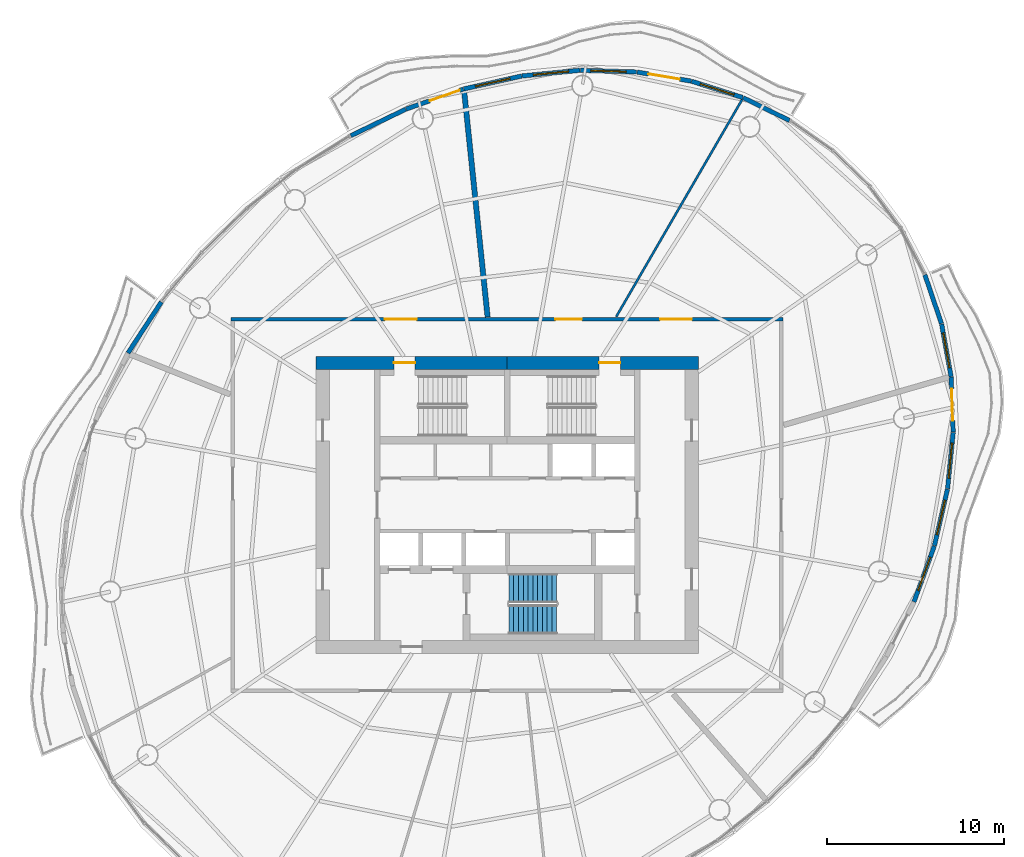
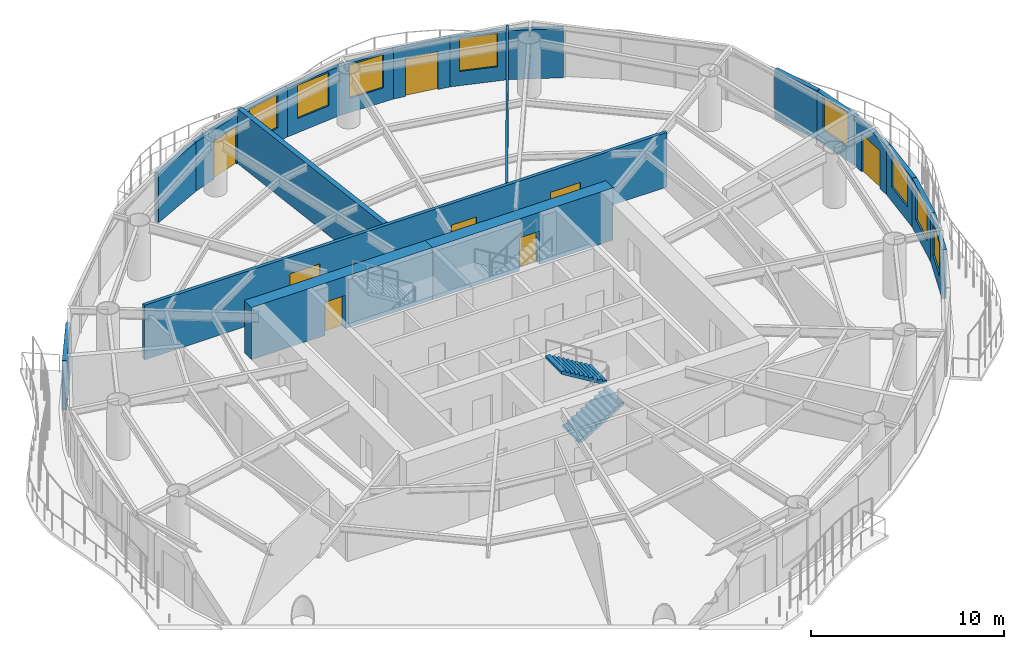
# One storey, part 10 of 14: 20 walls, 8 doors, 8 windows, 2 stair flights, 16 openings, 1 element without a shape of its own.
"""IFC4 building model written with IfcOpenShell, lengths in metres."""

from ifc_helpers import new_model, si_unit, direction, frame, frame_2d, origin, place, context, subcontext, project, spatial, polyline, rectangle, outline, extrude, material, layer, layer_set, type_object, element, fill, aggregate, save


model = new_model("IFC4")

# Units and contexts
model_context = context("Model", 3, precision=1e-05, world=origin(), true_north=direction((0.0, 1.0)))
body_context = subcontext(model_context, "Body", "Model", "MODEL_VIEW")
ifc_project = project(units=[si_unit("LENGTHUNIT", "METRE"), si_unit("AREAUNIT", "SQUARE_METRE"), si_unit("VOLUMEUNIT", "CUBIC_METRE"), si_unit("PLANEANGLEUNIT", "RADIAN"), si_unit("MASSUNIT", "GRAM", prefix="KILO")], contexts=[model_context])

# Site, building, storey
site_placement = place(None, origin())
site = spatial("IfcSite", under=ifc_project, at=site_placement, CompositionType="ELEMENT")
building_placement = place(site_placement, origin())
building = spatial("IfcBuilding", under=site, at=building_placement, Name="Vermilion Reach Broadcast Tower", CompositionType="ELEMENT")
storey_placement = place(building_placement, frame((0.0, 0.0, 199.300048828125)))
storey = spatial("IfcBuildingStorey", under=building, at=storey_placement, Name="L48", CompositionType="ELEMENT", Elevation=199.300048828125)

# Wall, opening, door
ifc_material_1 = material(Name="Concrete C60", Category="concrete")
ifc_layer_1 = layer(ifc_material_1, 0.75)
ifc_layer_set_1 = layer_set([ifc_layer_1], Name="Core outer wall 750 mm Concrete C60")
wall_type_1 = type_object("IfcWallType", Name="Core outer wall 750 mm Concrete C60", PredefinedType="SHEAR", material=ifc_layer_set_1)
wall_1_placement = place(storey_placement, frame((4.800048828125, 8.02490234375, 0.0), z_axis=(0.0, 0.0, 1.0), x_axis=(-1.0, 0.0, 0.0)))
wall_1 = element("IfcWall", 1, at=wall_1_placement, inside=storey, type_object=wall_type_1, Name="L48 core wall onE", PredefinedType="SHEAR", context=body_context, shape_type="SweptSolid", body=[
    extrude(rectangle(XDim=10.800048828125, YDim=0.75, at=frame_2d((5.39990234375, 0.0))), origin(), (0.0, 0.0, 1.0), 3.300048828125),
])
opening_1_placement = place(wall_1_placement, frame((4.39990234375, 0.0, 0.0)))
opening_1 = element("IfcOpeningElement", 2, at=opening_1_placement, cuts=wall_1, Name="Opening D01", PredefinedType="OPENING", context=body_context, shape_type="SweptSolid", body=[
    extrude(rectangle(XDim=1.199951171875, YDim=2.10009765625, at=frame_2d((0.60009765625, 1.050048828125))), frame((0.0, 0.385009765625, 0.0), z_axis=(0.0, -1.0, 0.0), x_axis=(1.0, 0.0, 0.0)), (0.0, 0.0, 1.0), 0.77001953125),
])
ifc_material_2 = material(Name="Painted steel fire door", Category="steel")
door_type_1 = type_object("IfcDoorType", Name="Stair door 1200 x 2100", OperationType="DOUBLE_DOOR_SINGLE_SWING", PredefinedType="NOTDEFINED", material=ifc_material_2)
door_1_placement = place(opening_1_placement, origin())
door_1 = element("IfcDoor", 3, at=door_1_placement, inside=storey, type_object=door_type_1, Name="L48 stair door ST2", OperationType="DOUBLE_DOOR_SINGLE_SWING", OverallHeight=2.10009765625, OverallWidth=1.199951171875, PredefinedType="NOTDEFINED", context=body_context, shape_type="SweptSolid", body=[
    extrude(rectangle(XDim=1.199951171875, YDim=2.10009765625, at=frame_2d((0.60009765625, 1.050048828125))), frame((0.0, 0.02490234375, 0.0), z_axis=(0.0, -1.0, 0.0), x_axis=(1.0, 0.0, 0.0)), (0.0, 0.0, 1.0), 0.050048828125),
])
fill(opening_1, door_1)

wall_2_placement = place(storey_placement, frame((-6.0, 8.02490234375, 0.0), z_axis=(0.0, 0.0, 1.0), x_axis=(-1.0, 0.0, 0.0)))
wall_2 = element("IfcWall", 4, at=wall_2_placement, inside=storey, type_object=wall_type_1, Name="L48 core wall onW", PredefinedType="SHEAR", context=body_context, shape_type="SweptSolid", body=[
    extrude(rectangle(XDim=10.800048828125, YDim=0.75, at=frame_2d((5.39990234375, 0.0))), origin(), (0.0, 0.0, 1.0), 3.300048828125),
])
opening_2_placement = place(wall_2_placement, frame((5.199951171875, 0.0, 0.0)))
opening_2 = element("IfcOpeningElement", 5, at=opening_2_placement, cuts=wall_2, Name="Opening D01", PredefinedType="OPENING", context=body_context, shape_type="SweptSolid", body=[
    extrude(rectangle(XDim=1.199951171875, YDim=2.10009765625, at=frame_2d((0.60009765625, 1.050048828125))), frame((0.0, 0.385009765625, 0.0), z_axis=(0.0, -1.0, 0.0), x_axis=(1.0, 0.0, 0.0)), (0.0, 0.0, 1.0), 0.77001953125),
])
door_2_placement = place(opening_2_placement, origin())
door_2 = element("IfcDoor", 6, at=door_2_placement, inside=storey, type_object=door_type_1, Name="L48 stair door ST1", OperationType="DOUBLE_DOOR_SINGLE_SWING", OverallHeight=2.10009765625, OverallWidth=1.199951171875, PredefinedType="NOTDEFINED", context=body_context, shape_type="SweptSolid", body=[
    extrude(rectangle(XDim=1.199951171875, YDim=2.10009765625, at=frame_2d((0.60009765625, 1.050048828125))), frame((0.0, 0.02490234375, 0.0), z_axis=(0.0, -1.0, 0.0), x_axis=(1.0, 0.0, 0.0)), (0.0, 0.0, 1.0), 0.050048828125),
])
fill(opening_2, door_2)

# Wall, openings, doors
ifc_material_3 = material(Name="Fire-rated gypsum board partition")
ifc_layer_2 = layer(ifc_material_3, 0.199951171875)
ifc_layer_set_2 = layer_set([ifc_layer_2], Name="Corridor wall 200 fire-rated")
wall_type_2 = type_object("IfcWallType", Name="Corridor wall 200 fire-rated", PredefinedType="PARTITIONING", material=ifc_layer_set_2)
wall_3_placement = place(storey_placement, frame((-21.60009765625, 10.5, 0.0), z_axis=(0.0, 0.0, 1.0), x_axis=(1.0, 0.0, 0.0)))
wall_3 = element("IfcWall", 7, at=wall_3_placement, inside=storey, type_object=wall_type_2, Name="Corridor wall 48.N", PredefinedType="PARTITIONING", context=body_context, shape_type="SweptSolid", body=[
    extrude(rectangle(XDim=31.2001953125, YDim=0.199951171875, at=frame_2d((15.60009765625, 0.0))), origin(), (0.0, 0.0, 1.0), 3.449951171875),
])
opening_3_placement = place(wall_3_placement, frame((18.32080078125, 0.0, 0.0)))
opening_3 = element("IfcOpeningElement", 8, at=opening_3_placement, cuts=wall_3, Name="Opening D24", PredefinedType="OPENING", context=body_context, shape_type="SweptSolid", body=[
    extrude(rectangle(XDim=1.5, YDim=2.10009765625, at=frame_2d((0.75, 1.050048828125))), frame((0.0, 0.10986328125, 0.0), z_axis=(0.0, -1.0, 0.0), x_axis=(1.0, 0.0, 0.0)), (0.0, 0.0, 1.0), 0.219970703125),
])
opening_4_placement = place(wall_3_placement, frame((8.6884765625, 0.0, 0.0)))
opening_4 = element("IfcOpeningElement", 9, at=opening_4_placement, cuts=wall_3, Name="Opening D27", PredefinedType="OPENING", context=body_context, shape_type="SweptSolid", body=[
    extrude(rectangle(XDim=1.800048828125, YDim=2.39990234375, at=frame_2d((0.89990234375, 1.199951171875))), frame((0.0, 0.10986328125, 0.0), z_axis=(0.0, -1.0, 0.0), x_axis=(1.0, 0.0, 0.0)), (0.0, 0.0, 1.0), 0.219970703125),
])
opening_5_placement = place(wall_3_placement, frame((24.2412109375, 0.0, 0.0)))
opening_5 = element("IfcOpeningElement", 10, at=opening_5_placement, cuts=wall_3, Name="Opening D21", PredefinedType="OPENING", context=body_context, shape_type="SweptSolid", body=[
    extrude(rectangle(XDim=1.800048828125, YDim=2.10009765625, at=frame_2d((0.89990234375, 1.050048828125))), frame((0.0, 0.10986328125, 0.0), z_axis=(0.0, -1.0, 0.0), x_axis=(1.0, 0.0, 0.0)), (0.0, 0.0, 1.0), 0.219970703125),
])
ifc_material_4 = material(Name="Timber door leaf", Category="wood")
door_type_2 = type_object("IfcDoorType", Name="Door pair 1500x2100", OperationType="NOTDEFINED", PredefinedType="DOOR", material=ifc_material_4)
door_3_placement = place(opening_3_placement, origin())
door_3 = element("IfcDoor", 11, at=door_3_placement, inside=storey, type_object=door_type_2, Name="Door 48.01", OperationType="DOUBLE_DOOR_SINGLE_SWING", OverallHeight=2.10009765625, OverallWidth=1.5, PredefinedType="DOOR", context=body_context, shape_type="SweptSolid", body=[
    extrude(rectangle(XDim=1.5, YDim=2.10009765625, at=frame_2d((0.75, 1.050048828125))), frame((0.0, 0.02490234375, 0.0), z_axis=(0.0, -1.0, 0.0), x_axis=(1.0, 0.0, 0.0)), (0.0, 0.0, 1.0), 0.050048828125),
])
fill(opening_3, door_3)
ifc_material_5 = material(Name="Timber door leaf", Category="wood")
door_type_3 = type_object("IfcDoorType", Name="Door pair 1800x2100", OperationType="NOTDEFINED", PredefinedType="DOOR", material=ifc_material_5)
door_4_placement = place(opening_5_placement, origin())
door_4 = element("IfcDoor", 12, at=door_4_placement, inside=storey, type_object=door_type_3, Name="Door 48.08", OperationType="DOUBLE_DOOR_SINGLE_SWING", OverallHeight=2.10009765625, OverallWidth=1.800048828125, PredefinedType="DOOR", context=body_context, shape_type="SweptSolid", body=[
    extrude(rectangle(XDim=1.800048828125, YDim=2.10009765625, at=frame_2d((0.89990234375, 1.050048828125))), frame((0.0, 0.02490234375, 0.0), z_axis=(0.0, -1.0, 0.0), x_axis=(1.0, 0.0, 0.0)), (0.0, 0.0, 1.0), 0.050048828125),
])
fill(opening_5, door_4)
ifc_material_6 = material(Name="Acoustic timber door leaf", Category="wood")
door_type_4 = type_object("IfcDoorType", Name="Door pair 1800x2400", OperationType="NOTDEFINED", PredefinedType="DOOR", material=ifc_material_6)
door_5_placement = place(opening_4_placement, origin())
door_5 = element("IfcDoor", 13, at=door_5_placement, inside=storey, type_object=door_type_4, Name="Door 48.02", OperationType="DOUBLE_DOOR_SINGLE_SWING", OverallHeight=2.39990234375, OverallWidth=1.800048828125, PredefinedType="DOOR", context=body_context, shape_type="SweptSolid", body=[
    extrude(rectangle(XDim=1.800048828125, YDim=2.39990234375, at=frame_2d((0.89990234375, 1.199951171875))), frame((0.0, 0.02490234375, 0.0), z_axis=(0.0, -1.0, 0.0), x_axis=(1.0, 0.0, 0.0)), (0.0, 0.0, 1.0), 0.050048828125),
])
fill(opening_4, door_5)

# Walls
ifc_material_7 = material(Name="Fire-rated plasterboard on steel stud", Category="steel")
ifc_layer_3 = layer(ifc_material_7, 0.125)
ifc_layer_set_3 = layer_set([ifc_layer_3], Name="Partition 125 fire-rated stud")
wall_type_3 = type_object("IfcWallType", Name="Partition 125 fire-rated stud", PredefinedType="PARTITIONING", material=ifc_layer_set_3)
wall_4_placement = place(storey_placement, frame((7.277099609375, 22.90380859375, 0.0), z_axis=(0.0, 0.0, 1.0), x_axis=(-0.501519234172, -0.865146494968, 0.0)))
element("IfcWall", 14, at=wall_4_placement, inside=storey, type_object=wall_type_3, Name="Partition 48.01", PredefinedType="PARTITIONING", context=body_context, shape_type="SweptSolid", body=[
    extrude(rectangle(XDim=14.185302734375, YDim=0.125, at=frame_2d((7.0927734375, 0.0))), origin(), (0.0, 0.0, 1.0), 3.449951171875),
])
ifc_material_8 = material(Name="Double-leaf plasterboard on isolated steel stud", Category="steel")
ifc_layer_4 = layer(ifc_material_8, 0.300048828125)
ifc_layer_set_4 = layer_set([ifc_layer_4], Name="Partition 300 acoustic double leaf")
wall_type_4 = type_object("IfcWallType", Name="Partition 300 acoustic double leaf", PredefinedType="PARTITIONING", material=ifc_layer_set_4)
wall_5_placement = place(storey_placement, frame((-8.431396484375, 23.3857421875, 0.0), z_axis=(0.0, 0.0, 1.0), x_axis=(0.103405820215, -0.994639249349, 0.0)))
element("IfcWall", 15, at=wall_5_placement, inside=storey, type_object=wall_type_4, Name="Partition 48.02", PredefinedType="PARTITIONING", context=body_context, shape_type="SweptSolid", body=[
    extrude(rectangle(XDim=12.839111328125, YDim=0.300048828125, at=frame_2d((6.41943359375, 0.0))), origin(), (0.0, 0.0, 1.0), 3.449951171875),
])
ifc_material_9 = material(Name="Terracotta rainscreen cladding", Category="masonry")
ifc_layer_5 = layer(ifc_material_9, 0.25)
ifc_layer_set_5 = layer_set([ifc_layer_5], Name="Terracotta rainscreen wall 250")
wall_type_5 = type_object("IfcWallType", Name="Terracotta rainscreen wall 250", PredefinedType="SOLIDWALL", material=ifc_layer_set_5)
wall_6_placement = place(storey_placement, frame((9.95068359375, 21.726318359375, 0.0), z_axis=(0.0, 0.0, 1.0), x_axis=(-0.897141057634, 0.441744182426, 0.0)))
element("IfcWall", 16, at=wall_6_placement, inside=storey, type_object=wall_type_5, Name="External wall L48 02", PredefinedType="SOLIDWALL", context=body_context, shape_type="SweptSolid", body=[
    extrude(rectangle(XDim=2.914794921875, YDim=0.25, at=frame_2d((1.45751953125, 0.0))), origin(), (0.0, 0.0, 1.0), 3.099853515625),
])

# Wall, opening, window
wall_7_placement = place(storey_placement, frame((7.31103515625, 23.02392578125, 0.0), z_axis=(0.0, 0.0, 1.0), x_axis=(-0.952776106235, 0.303673659358, 0.0)))
wall_7 = element("IfcWall", 17, at=wall_7_placement, inside=storey, type_object=wall_type_5, Name="External wall L48 03", PredefinedType="SOLIDWALL", context=body_context, shape_type="SweptSolid", body=[
    extrude(rectangle(XDim=3.02294921875, YDim=0.25, at=frame_2d((1.511474609375, 0.0))), origin(), (0.0, 0.0, 1.0), 3.099853515625),
])
opening_6_placement = place(wall_7_placement, frame((0.511474609375, 0.0, 0.89990234375)))
opening_6 = element("IfcOpeningElement", 18, at=opening_6_placement, cuts=wall_7, Name="Opening W03", PredefinedType="OPENING", context=body_context, shape_type="SweptSolid", body=[
    extrude(rectangle(XDim=2.0, YDim=2.10009765625, at=frame_2d((1.0, 1.050048828125))), frame((0.0, 0.135009765625, 0.0), z_axis=(0.0, -1.0, 0.0), x_axis=(1.0, 0.0, 0.0)), (0.0, 0.0, 1.0), 0.27001953125),
])
ifc_material_10 = material(Name="Low-e laminated clear glass in aluminium frame", Category="aluminium")
window_type = type_object("IfcWindowType", Name="Punched window 2000 x 2100 sill 900", PartitioningType="SINGLE_PANEL", PredefinedType="WINDOW", material=ifc_material_10)
window_1_placement = place(opening_6_placement, origin())
window_1 = element("IfcWindow", 19, at=window_1_placement, inside=storey, type_object=window_type, Name="Window L48 03", OverallHeight=2.10009765625, OverallWidth=2.0, PartitioningType="SINGLE_PANEL", PredefinedType="WINDOW", context=body_context, shape_type="SweptSolid", body=[
    extrude(rectangle(XDim=2.0, YDim=2.10009765625, at=frame_2d((1.0, 1.050048828125))), frame((0.0, 0.030029296875, 0.0), z_axis=(0.0, -1.0, 0.0), x_axis=(1.0, 0.0, 0.0)), (0.0, 0.0, 1.0), 0.06005859375),
])
fill(opening_6, window_1)

# Wall, opening, door
wall_8_placement = place(storey_placement, frame((4.406005859375, 23.947998046875, 0.0), z_axis=(0.0, 0.0, 1.0), x_axis=(-0.986216863641, 0.165457843178, 0.0)))
wall_8 = element("IfcWall", 20, at=wall_8_placement, inside=storey, type_object=wall_type_5, Name="External wall L48 04", PredefinedType="SOLIDWALL", context=body_context, shape_type="SweptSolid", body=[
    extrude(rectangle(XDim=3.10302734375, YDim=0.25, at=frame_2d((1.551513671875, 0.0))), origin(), (0.0, 0.0, 1.0), 3.099853515625),
])
opening_7_placement = place(wall_8_placement, frame((0.652099609375, 0.0, 0.0)))
opening_7 = element("IfcOpeningElement", 21, at=opening_7_placement, cuts=wall_8, Name="Opening D70", PredefinedType="OPENING", context=body_context, shape_type="SweptSolid", body=[
    extrude(rectangle(XDim=1.800048828125, YDim=2.39990234375, at=frame_2d((0.89990234375, 1.199951171875))), frame((0.0, 0.135009765625, 0.0), z_axis=(0.0, -1.0, 0.0), x_axis=(1.0, 0.0, 0.0)), (0.0, 0.0, 1.0), 0.27001953125),
])
ifc_material_11 = material(Name="Low-e laminated clear glass in aluminium frame", Category="aluminium")
door_type_5 = type_object("IfcDoorType", Name="Balcony sliding door 1800 x 2400", OperationType="DOUBLE_DOOR_SLIDING", PredefinedType="DOOR", material=ifc_material_11)
door_6_placement = place(opening_7_placement, origin())
door_6 = element("IfcDoor", 22, at=door_6_placement, inside=storey, type_object=door_type_5, Name="Balcony door L48 run 01", OperationType="DOUBLE_DOOR_SLIDING", OverallHeight=2.39990234375, OverallWidth=1.800048828125, PredefinedType="DOOR", context=body_context, shape_type="SweptSolid", body=[
    extrude(rectangle(XDim=1.800048828125, YDim=2.39990234375, at=frame_2d((0.89990234375, 1.199951171875))), frame((0.0, 0.02490234375, 0.0), z_axis=(0.0, -1.0, 0.0), x_axis=(1.0, 0.0, 0.0)), (0.0, 0.0, 1.0), 0.050048828125),
])
fill(opening_7, door_6)

# Wall, opening, window
wall_9_placement = place(storey_placement, frame((1.32080078125, 24.4638671875, 0.0), z_axis=(0.0, 0.0, 1.0), x_axis=(-0.999517066274, 0.031074655709, 0.0)))
wall_9 = element("IfcWall", 23, at=wall_9_placement, inside=storey, type_object=wall_type_5, Name="External wall L48 05", PredefinedType="SOLIDWALL", context=body_context, shape_type="SweptSolid", body=[
    extrude(rectangle(XDim=3.189697265625, YDim=0.25, at=frame_2d((1.5947265625, 0.0))), origin(), (0.0, 0.0, 1.0), 3.099853515625),
])
opening_8_placement = place(wall_9_placement, frame((0.594970703125, 0.0, 0.89990234375)))
opening_8 = element("IfcOpeningElement", 24, at=opening_8_placement, cuts=wall_9, Name="Opening W03", PredefinedType="OPENING", context=body_context, shape_type="SweptSolid", body=[
    extrude(rectangle(XDim=2.0, YDim=2.10009765625, at=frame_2d((1.0, 1.050048828125))), frame((0.0, 0.135009765625, 0.0), z_axis=(0.0, -1.0, 0.0), x_axis=(1.0, 0.0, 0.0)), (0.0, 0.0, 1.0), 0.27001953125),
])
window_2_placement = place(opening_8_placement, origin())
window_2 = element("IfcWindow", 25, at=window_2_placement, inside=storey, type_object=window_type, Name="Window L48 05", OverallHeight=2.10009765625, OverallWidth=2.0, PartitioningType="SINGLE_PANEL", PredefinedType="WINDOW", context=body_context, shape_type="SweptSolid", body=[
    extrude(rectangle(XDim=2.0, YDim=2.10009765625, at=frame_2d((1.0, 1.050048828125))), frame((0.0, 0.030029296875, 0.0), z_axis=(0.0, -1.0, 0.0), x_axis=(1.0, 0.0, 0.0)), (0.0, 0.0, 1.0), 0.06005859375),
])
fill(opening_8, window_2)

wall_10_placement = place(storey_placement, frame((-1.891357421875, 24.56201171875, 0.0), z_axis=(0.0, 0.0, 1.0), x_axis=(-0.995263213441, -0.097216953109, 0.0)))
wall_10 = element("IfcWall", 26, at=wall_10_placement, inside=storey, type_object=wall_type_5, Name="External wall L48 06", PredefinedType="SOLIDWALL", context=body_context, shape_type="SweptSolid", body=[
    extrude(rectangle(XDim=3.27734375, YDim=0.25, at=frame_2d((1.638671875, 0.0))), origin(), (0.0, 0.0, 1.0), 3.099853515625),
])
opening_9_placement = place(wall_10_placement, frame((0.638671875, 0.0, 0.89990234375)))
opening_9 = element("IfcOpeningElement", 27, at=opening_9_placement, cuts=wall_10, Name="Opening W03", PredefinedType="OPENING", context=body_context, shape_type="SweptSolid", body=[
    extrude(rectangle(XDim=2.0, YDim=2.10009765625, at=frame_2d((1.0, 1.050048828125))), frame((0.0, 0.135009765625, 0.0), z_axis=(0.0, -1.0, 0.0), x_axis=(1.0, 0.0, 0.0)), (0.0, 0.0, 1.0), 0.27001953125),
])
window_3_placement = place(opening_9_placement, origin())
window_3 = element("IfcWindow", 28, at=window_3_placement, inside=storey, type_object=window_type, Name="Window L48 06", OverallHeight=2.10009765625, OverallWidth=2.0, PartitioningType="SINGLE_PANEL", PredefinedType="WINDOW", context=body_context, shape_type="SweptSolid", body=[
    extrude(rectangle(XDim=2.0, YDim=2.10009765625, at=frame_2d((1.0, 1.050048828125))), frame((0.0, 0.030029296875, 0.0), z_axis=(0.0, -1.0, 0.0), x_axis=(1.0, 0.0, 0.0)), (0.0, 0.0, 1.0), 0.06005859375),
])
fill(opening_9, window_3)

wall_11_placement = place(storey_placement, frame((-5.176025390625, 24.23974609375, 0.0), z_axis=(0.0, 0.0, 1.0), x_axis=(-0.976008895139, -0.217730651514, 0.0)))
wall_11 = element("IfcWall", 29, at=wall_11_placement, inside=storey, type_object=wall_type_5, Name="External wall L48 07", PredefinedType="SOLIDWALL", context=body_context, shape_type="SweptSolid", body=[
    extrude(rectangle(XDim=3.359375, YDim=0.25, at=frame_2d((1.6796875, 0.0))), origin(), (0.0, 0.0, 1.0), 3.099853515625),
])
opening_10_placement = place(wall_11_placement, frame((0.6796875, 0.0, 0.89990234375)))
opening_10 = element("IfcOpeningElement", 30, at=opening_10_placement, cuts=wall_11, Name="Opening W03", PredefinedType="OPENING", context=body_context, shape_type="SweptSolid", body=[
    extrude(rectangle(XDim=2.0, YDim=2.10009765625, at=frame_2d((1.0, 1.050048828125))), frame((0.0, 0.135009765625, 0.0), z_axis=(0.0, -1.0, 0.0), x_axis=(1.0, 0.0, 0.0)), (0.0, 0.0, 1.0), 0.27001953125),
])
window_4_placement = place(opening_10_placement, origin())
window_4 = element("IfcWindow", 31, at=window_4_placement, inside=storey, type_object=window_type, Name="Window L48 07", OverallHeight=2.10009765625, OverallWidth=2.0, PartitioningType="SINGLE_PANEL", PredefinedType="WINDOW", context=body_context, shape_type="SweptSolid", body=[
    extrude(rectangle(XDim=2.0, YDim=2.10009765625, at=frame_2d((1.0, 1.050048828125))), frame((0.0, 0.030029296875, 0.0), z_axis=(0.0, -1.0, 0.0), x_axis=(1.0, 0.0, 0.0)), (0.0, 0.0, 1.0), 0.06005859375),
])
fill(opening_10, window_4)

# Wall, opening, door
wall_12_placement = place(storey_placement, frame((-8.4765625, 23.502197265625, 0.0), z_axis=(0.0, 0.0, 1.0), x_axis=(-0.943927112693, -0.330153912475, 0.0)))
wall_12 = element("IfcWall", 32, at=wall_12_placement, inside=storey, type_object=wall_type_5, Name="External wall L48 08", PredefinedType="SOLIDWALL", context=body_context, shape_type="SweptSolid", body=[
    extrude(rectangle(XDim=3.43115234375, YDim=0.25, at=frame_2d((1.715576171875, 0.0))), origin(), (0.0, 0.0, 1.0), 3.099853515625),
])
opening_11_placement = place(wall_12_placement, frame((0.216064453125, 0.0, 0.0)))
opening_11 = element("IfcOpeningElement", 33, at=opening_11_placement, cuts=wall_12, Name="Opening D70", PredefinedType="OPENING", context=body_context, shape_type="SweptSolid", body=[
    extrude(rectangle(XDim=1.800048828125, YDim=2.39990234375, at=frame_2d((0.89990234375, 1.199951171875))), frame((0.0, 0.135009765625, 0.0), z_axis=(0.0, -1.0, 0.0), x_axis=(1.0, 0.0, 0.0)), (0.0, 0.0, 1.0), 0.27001953125),
])
door_7_placement = place(opening_11_placement, origin())
door_7 = element("IfcDoor", 34, at=door_7_placement, inside=storey, type_object=door_type_5, Name="Balcony door L48 run 02", OperationType="DOUBLE_DOOR_SLIDING", OverallHeight=2.39990234375, OverallWidth=1.800048828125, PredefinedType="DOOR", context=body_context, shape_type="SweptSolid", body=[
    extrude(rectangle(XDim=1.800048828125, YDim=2.39990234375, at=frame_2d((0.89990234375, 1.199951171875))), frame((0.0, 0.02490234375, 0.0), z_axis=(0.0, -1.0, 0.0), x_axis=(1.0, 0.0, 0.0)), (0.0, 0.0, 1.0), 0.050048828125),
])
fill(opening_11, door_7)

# Walls
for number, where, z_axis, x_axis, name in (
    (35, (-11.73583984375, 22.36083984375, 0.0), (0.0, 0.0, 1.0), (-0.900825117277, -0.43418211396, 0.0), "External wall L48 09"),
    (36, (-25.544921875, 11.466064453125, 0.0), (0.0, 0.0, 1.0), (-0.547235995567, -0.836978354054, 0.0), "External wall L48 14"),
):
    element("IfcWall", number, at=place(storey_placement, frame(where, z_axis=z_axis, x_axis=x_axis)), inside=storey, type_object=wall_type_5, Name=name, PredefinedType="SOLIDWALL", context=body_context, shape_type="SweptSolid", body=[
        extrude(rectangle(XDim=3.444580078125, YDim=0.25, at=frame_2d((1.72216796875, 0.0))), origin(), (0.0, 0.0, 1.0), 3.099853515625),
    ])

# Wall, opening, window
wall_13_placement = place(storey_placement, frame((16.992431640625, -5.47802734375, 0.0), z_axis=(0.0, 0.0, 1.0), x_axis=(0.342379036898, 0.939561916583, 0.0)))
wall_13 = element("IfcWall", 37, at=wall_13_placement, inside=storey, type_object=wall_type_5, Name="External wall L48 40", PredefinedType="SOLIDWALL", context=body_context, shape_type="SweptSolid", body=[
    extrude(rectangle(XDim=3.359375, YDim=0.25, at=frame_2d((1.6796875, 0.0))), origin(), (0.0, 0.0, 1.0), 3.099853515625),
])
opening_12_placement = place(wall_13_placement, frame((0.6796875, 0.0, 0.89990234375)))
opening_12 = element("IfcOpeningElement", 38, at=opening_12_placement, cuts=wall_13, Name="Opening W03", PredefinedType="OPENING", context=body_context, shape_type="SweptSolid", body=[
    extrude(rectangle(XDim=2.0, YDim=2.10009765625, at=frame_2d((1.0, 1.050048828125))), frame((0.0, 0.135009765625, 0.0), z_axis=(0.0, -1.0, 0.0), x_axis=(1.0, 0.0, 0.0)), (0.0, 0.0, 1.0), 0.27001953125),
])
window_5_placement = place(opening_12_placement, origin())
window_5 = element("IfcWindow", 39, at=window_5_placement, inside=storey, type_object=window_type, Name="Window L48 40", OverallHeight=2.10009765625, OverallWidth=2.0, PartitioningType="SINGLE_PANEL", PredefinedType="WINDOW", context=body_context, shape_type="SweptSolid", body=[
    extrude(rectangle(XDim=2.0, YDim=2.10009765625, at=frame_2d((1.0, 1.050048828125))), frame((0.0, 0.030029296875, 0.0), z_axis=(0.0, -1.0, 0.0), x_axis=(1.0, 0.0, 0.0)), (0.0, 0.0, 1.0), 0.06005859375),
])
fill(opening_12, window_5)

wall_14_placement = place(storey_placement, frame((18.149169921875, -2.299560546875, 0.0), z_axis=(0.0, 0.0, 1.0), x_axis=(0.225196810923, 0.974313294762, 0.0)))
wall_14 = element("IfcWall", 40, at=wall_14_placement, inside=storey, type_object=wall_type_5, Name="External wall L48 41", PredefinedType="SOLIDWALL", context=body_context, shape_type="SweptSolid", body=[
    extrude(rectangle(XDim=3.27734375, YDim=0.25, at=frame_2d((1.638671875, 0.0))), origin(), (0.0, 0.0, 1.0), 3.099853515625),
])
opening_13_placement = place(wall_14_placement, frame((0.638671875, 0.0, 0.89990234375)))
opening_13 = element("IfcOpeningElement", 41, at=opening_13_placement, cuts=wall_14, Name="Opening W03", PredefinedType="OPENING", context=body_context, shape_type="SweptSolid", body=[
    extrude(rectangle(XDim=2.0, YDim=2.10009765625, at=frame_2d((1.0, 1.050048828125))), frame((0.0, 0.135009765625, 0.0), z_axis=(0.0, -1.0, 0.0), x_axis=(1.0, 0.0, 0.0)), (0.0, 0.0, 1.0), 0.27001953125),
])
window_6_placement = place(opening_13_placement, origin())
window_6 = element("IfcWindow", 42, at=window_6_placement, inside=storey, type_object=window_type, Name="Window L48 41", OverallHeight=2.10009765625, OverallWidth=2.0, PartitioningType="SINGLE_PANEL", PredefinedType="WINDOW", context=body_context, shape_type="SweptSolid", body=[
    extrude(rectangle(XDim=2.0, YDim=2.10009765625, at=frame_2d((1.0, 1.050048828125))), frame((0.0, 0.030029296875, 0.0), z_axis=(0.0, -1.0, 0.0), x_axis=(1.0, 0.0, 0.0)), (0.0, 0.0, 1.0), 0.06005859375),
])
fill(opening_13, window_6)

wall_15_placement = place(storey_placement, frame((18.89111328125, 0.917236328125, 0.0), z_axis=(0.0, 0.0, 1.0), x_axis=(0.09873075653, 0.995114183255, 0.0)))
wall_15 = element("IfcWall", 43, at=wall_15_placement, inside=storey, type_object=wall_type_5, Name="External wall L48 42", PredefinedType="SOLIDWALL", context=body_context, shape_type="SweptSolid", body=[
    extrude(rectangle(XDim=3.18994140625, YDim=0.25, at=frame_2d((1.594970703125, 0.0))), origin(), (0.0, 0.0, 1.0), 3.099853515625),
])
opening_14_placement = place(wall_15_placement, frame((0.594970703125, 0.0, 0.89990234375)))
opening_14 = element("IfcOpeningElement", 44, at=opening_14_placement, cuts=wall_15, Name="Opening W03", PredefinedType="OPENING", context=body_context, shape_type="SweptSolid", body=[
    extrude(rectangle(XDim=2.0, YDim=2.10009765625, at=frame_2d((1.0, 1.050048828125))), frame((0.0, 0.135009765625, 0.0), z_axis=(0.0, -1.0, 0.0), x_axis=(1.0, 0.0, 0.0)), (0.0, 0.0, 1.0), 0.27001953125),
])
window_7_placement = place(opening_14_placement, origin())
window_7 = element("IfcWindow", 45, at=window_7_placement, inside=storey, type_object=window_type, Name="Window L48 42", OverallHeight=2.10009765625, OverallWidth=2.0, PartitioningType="SINGLE_PANEL", PredefinedType="WINDOW", context=body_context, shape_type="SweptSolid", body=[
    extrude(rectangle(XDim=2.0, YDim=2.10009765625, at=frame_2d((1.0, 1.050048828125))), frame((0.0, 0.030029296875, 0.0), z_axis=(0.0, -1.0, 0.0), x_axis=(1.0, 0.0, 0.0)), (0.0, 0.0, 1.0), 0.06005859375),
])
fill(opening_14, window_7)

# Wall, opening, door
wall_16_placement = place(storey_placement, frame((19.206787109375, 4.116455078125, 0.0), z_axis=(0.0, 0.0, 1.0), x_axis=(-0.036429625248, 0.999336220901, 0.0)))
wall_16 = element("IfcWall", 46, at=wall_16_placement, inside=storey, type_object=wall_type_5, Name="External wall L48 43", PredefinedType="SOLIDWALL", context=body_context, shape_type="SweptSolid", body=[
    extrude(rectangle(XDim=3.102783203125, YDim=0.25, at=frame_2d((1.55126953125, 0.0))), origin(), (0.0, 0.0, 1.0), 3.099853515625),
])
opening_15_placement = place(wall_16_placement, frame((0.652099609375, 0.0, 0.0)))
opening_15 = element("IfcOpeningElement", 47, at=opening_15_placement, cuts=wall_16, Name="Opening D70", PredefinedType="OPENING", context=body_context, shape_type="SweptSolid", body=[
    extrude(rectangle(XDim=1.800048828125, YDim=2.39990234375, at=frame_2d((0.89990234375, 1.199951171875))), frame((0.0, 0.135009765625, 0.0), z_axis=(0.0, -1.0, 0.0), x_axis=(1.0, 0.0, 0.0)), (0.0, 0.0, 1.0), 0.27001953125),
])
door_8_placement = place(opening_15_placement, origin())
door_8 = element("IfcDoor", 48, at=door_8_placement, inside=storey, type_object=door_type_5, Name="Balcony door L48 run 11", OperationType="DOUBLE_DOOR_SLIDING", OverallHeight=2.39990234375, OverallWidth=1.800048828125, PredefinedType="DOOR", context=body_context, shape_type="SweptSolid", body=[
    extrude(rectangle(XDim=1.800048828125, YDim=2.39990234375, at=frame_2d((0.89990234375, 1.199951171875))), frame((0.0, 0.02490234375, 0.0), z_axis=(0.0, -1.0, 0.0), x_axis=(1.0, 0.0, 0.0)), (0.0, 0.0, 1.0), 0.050048828125),
])
fill(opening_15, door_8)

# Wall, opening, window
wall_17_placement = place(storey_placement, frame((19.091064453125, 7.242919921875, 0.0), z_axis=(0.0, 0.0, 1.0), x_axis=(-0.177755310082, 0.984074717558, 0.0)))
wall_17 = element("IfcWall", 49, at=wall_17_placement, inside=storey, type_object=wall_type_5, Name="External wall L48 44", PredefinedType="SOLIDWALL", context=body_context, shape_type="SweptSolid", body=[
    extrude(rectangle(XDim=3.02294921875, YDim=0.25, at=frame_2d((1.511474609375, 0.0))), origin(), (0.0, 0.0, 1.0), 3.099853515625),
])
opening_16_placement = place(wall_17_placement, frame((0.511474609375, 0.0, 0.89990234375)))
opening_16 = element("IfcOpeningElement", 50, at=opening_16_placement, cuts=wall_17, Name="Opening W03", PredefinedType="OPENING", context=body_context, shape_type="SweptSolid", body=[
    extrude(rectangle(XDim=2.0, YDim=2.10009765625, at=frame_2d((1.0, 1.050048828125))), frame((0.0, 0.135009765625, 0.0), z_axis=(0.0, -1.0, 0.0), x_axis=(1.0, 0.0, 0.0)), (0.0, 0.0, 1.0), 0.27001953125),
])
window_8_placement = place(opening_16_placement, origin())
window_8 = element("IfcWindow", 51, at=window_8_placement, inside=storey, type_object=window_type, Name="Window L48 44", OverallHeight=2.10009765625, OverallWidth=2.0, PartitioningType="SINGLE_PANEL", PredefinedType="WINDOW", context=body_context, shape_type="SweptSolid", body=[
    extrude(rectangle(XDim=2.0, YDim=2.10009765625, at=frame_2d((1.0, 1.050048828125))), frame((0.0, 0.030029296875, 0.0), z_axis=(0.0, -1.0, 0.0), x_axis=(1.0, 0.0, 0.0)), (0.0, 0.0, 1.0), 0.06005859375),
])
fill(opening_16, window_8)

# Wall
wall_18_placement = place(storey_placement, frame((18.547119140625, 10.243408203125, 0.0), z_axis=(0.0, 0.0, 1.0), x_axis=(-0.321901231571, 0.946773255385, 0.0)))
element("IfcWall", 52, at=wall_18_placement, inside=storey, type_object=wall_type_5, Name="External wall L48 45", PredefinedType="SOLIDWALL", context=body_context, shape_type="SweptSolid", body=[
    extrude(rectangle(XDim=2.91455078125, YDim=0.25, at=frame_2d((1.457275390625, 0.0))), origin(), (0.0, 0.0, 1.0), 3.099853515625),
])

# Stair, stair flights
ifc_material_12 = material(Name="Concrete C40", Category="concrete")
stair_type = type_object("IfcStairType", Name="Exit stair RC 22 risers 164 mm", PredefinedType="HALF_TURN_STAIR", material=ifc_material_12)
stair_placement = place(storey_placement, origin())
stair = element("IfcStair", 53, at=stair_placement, inside=storey, type_object=stair_type, Name="L48 Exit stair ST3", PredefinedType="HALF_TURN_STAIR")
ifc_material_13 = material(Name="Concrete C40", Category="concrete")
stair_flight_type = type_object("IfcStairFlightType", Name="Exit stair flight RC 11 risers", PredefinedType="STRAIGHT", material=ifc_material_13)
stair_flight_1_placement = place(storey_placement, frame((-5.89990234375, -6.469970703125, 0.0), z_axis=(0.0, 0.0, 1.0), x_axis=(1.0, 0.0, 0.0)))
stair_flight_1 = element("IfcStairFlight", 54, at=stair_flight_1_placement, type_object=stair_flight_type, Name="ST3 flight 1", NumberOfRisers=11, NumberOfTreads=10, PredefinedType="STRAIGHT", RiserHeight=0.163636364, TreadLength=0.27, context=body_context, shape_type="SweptSolid", body=[
    extrude(outline(polyline([(0.0, 0.0), (0.0, 0.16357421875), (0.27001953125, 0.16357421875), (0.27001953125, 0.327392578125), (0.5400390625, 0.327392578125), (0.5400390625, 0.490966796875), (0.81005859375, 0.490966796875), (0.81005859375, 0.654541015625), (1.080078125, 0.654541015625), (1.080078125, 0.818115234375), (1.35009765625, 0.818115234375), (1.35009765625, 0.98193359375), (1.6201171875, 0.98193359375), (1.6201171875, 1.1455078125), (1.889892578125, 1.1455078125), (1.889892578125, 1.30908203125), (2.159912109375, 1.30908203125), (2.159912109375, 1.47265625), (2.429931640625, 1.47265625), (2.429931640625, 1.636474609375), (2.699951171875, 1.636474609375), (2.699951171875, 1.800048828125), (2.699951171875, 1.461181640625), (0.289306640625, 0.0), (0.0, 0.0)])), frame((0.0, 0.830078125, 0.0), z_axis=(0.0, -1.0, 0.0), x_axis=(1.0, 0.0, 0.0)), (0.0, 0.0, 1.0), 1.659912109375),
])
stair_flight_2_placement = place(storey_placement, frame((-3.199951171875, -4.7099609375, 1.800048828125), z_axis=(0.0, 0.0, 1.0), x_axis=(-1.0, 0.0, 0.0)))
stair_flight_2 = element("IfcStairFlight", 55, at=stair_flight_2_placement, type_object=stair_flight_type, Name="ST3 flight 2", NumberOfRisers=11, NumberOfTreads=10, PredefinedType="STRAIGHT", RiserHeight=0.163636364, TreadLength=0.27, context=body_context, shape_type="SweptSolid", body=[
    extrude(outline(polyline([(0.0, 0.0), (0.0, 0.16357421875), (0.27001953125, 0.16357421875), (0.27001953125, 0.327392578125), (0.5400390625, 0.327392578125), (0.5400390625, 0.490966796875), (0.81005859375, 0.490966796875), (0.81005859375, 0.654541015625), (1.080078125, 0.654541015625), (1.080078125, 0.818115234375), (1.35009765625, 0.818115234375), (1.35009765625, 0.98193359375), (1.6201171875, 0.98193359375), (1.6201171875, 1.1455078125), (1.889892578125, 1.1455078125), (1.889892578125, 1.30908203125), (2.159912109375, 1.30908203125), (2.159912109375, 1.47265625), (2.429931640625, 1.47265625), (2.429931640625, 1.636474609375), (2.699951171875, 1.636474609375), (2.699951171875, 1.800048828125), (2.699951171875, 1.461181640625), (0.289306640625, 0.0), (0.0, 0.0)])), frame((0.0, 0.830078125, 0.0), z_axis=(0.0, -1.0, 0.0), x_axis=(1.0, 0.0, 0.0)), (0.0, 0.0, 1.0), 1.659912109375),
])
aggregate(stair, [stair_flight_1, stair_flight_2])

save(model, "model.ifc")
